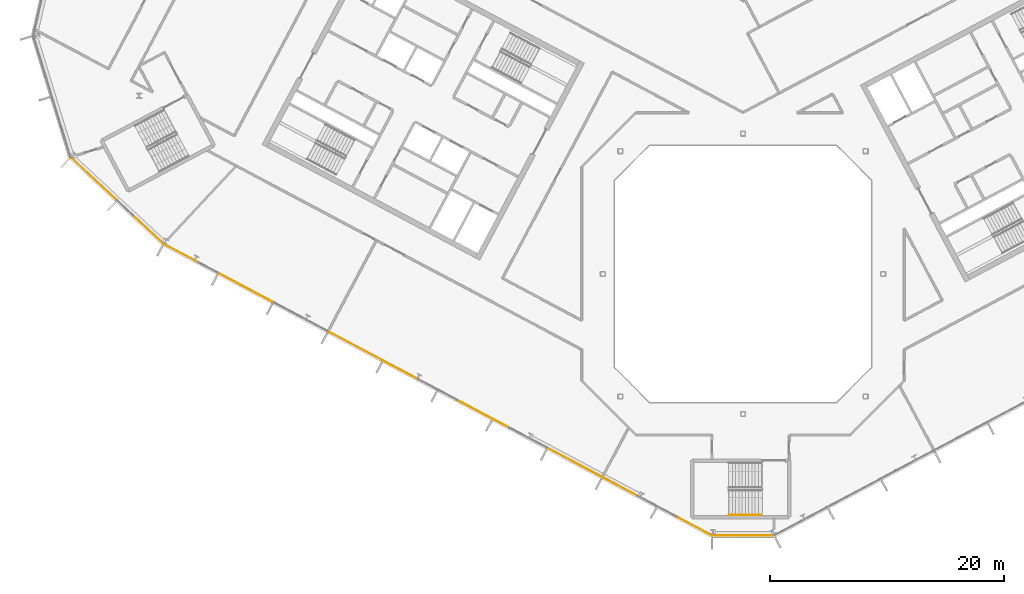
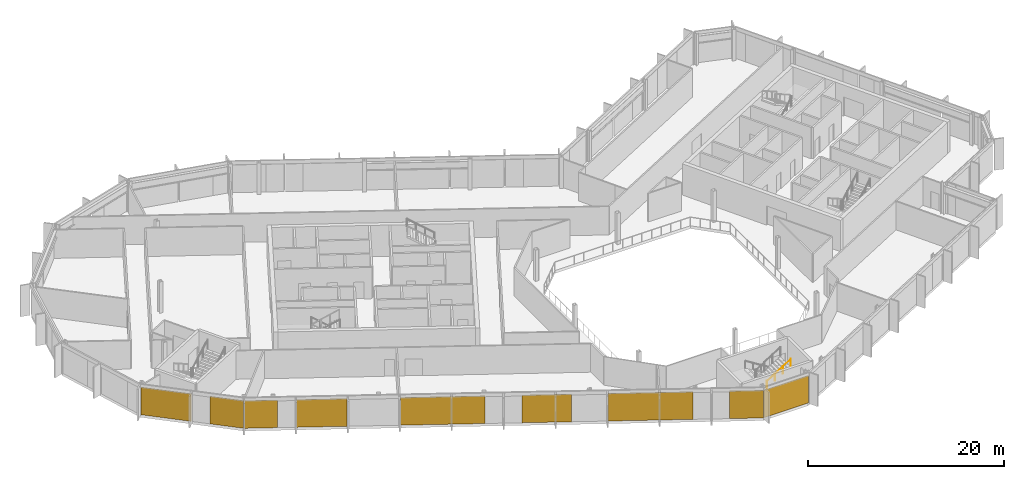
# One storey, part 18 of 25: 9 coverings, 1 railing, 3 elements without a shape of their own.
"""IFC4 building model written with IfcOpenShell, lengths in metres."""

from ifc_helpers import new_model, si_unit, direction, frame, origin, origin_2d, place, context, subcontext, project, spatial, polyline, rectangle, outline, extrude, material, layer, layer_set, type_object, element, aggregate, save


model = new_model("IFC4")

# Units and contexts
model_context = context("Model", 3, precision=1e-05, world=origin(), true_north=direction((0.0, 1.0)))
body_context = subcontext(model_context, "Body", "Model", "MODEL_VIEW")
ifc_project = project(units=[si_unit("LENGTHUNIT", "METRE"), si_unit("AREAUNIT", "SQUARE_METRE"), si_unit("VOLUMEUNIT", "CUBIC_METRE"), si_unit("PLANEANGLEUNIT", "RADIAN"), si_unit("MASSUNIT", "GRAM", prefix="KILO")], contexts=[model_context])

# Site, building, storey
site_placement = place(None, origin())
site = spatial("IfcSite", under=ifc_project, at=site_placement, CompositionType="ELEMENT")
building_placement = place(site_placement, origin())
building = spatial("IfcBuilding", under=site, at=building_placement, Name="Cormorant Relay Tower", CompositionType="ELEMENT")
storey_placement = place(building_placement, frame((0.0, 0.0, 281.39990234375)))
storey = spatial("IfcBuildingStorey", under=building, at=storey_placement, Name="L63", CompositionType="ELEMENT", Elevation=281.39990234375)

# Curtain wall, covering
ifc_material_1 = material(Name="Aluminium 6063-T6 anodised bronze", Category="aluminium")
ifc_layer_1 = layer(ifc_material_1, 0.199951171875)
ifc_layer_set_1 = layer_set([ifc_layer_1], Name="CW1 unitised bronze curtain wall with vertical fins")
curtain_wall_type = type_object("IfcCurtainWallType", Name="CW1 unitised bronze curtain wall with vertical fins", PredefinedType="NOTDEFINED", material=ifc_layer_set_1)
curtain_wall_1_placement = place(storey_placement, origin())
curtain_wall_1 = element("IfcCurtainWall", 1, at=curtain_wall_1_placement, inside=storey, type_object=curtain_wall_type, Name="CW1 curtain wall 1", PredefinedType="NOTDEFINED")
ifc_material_2 = material(Name="Pale bronze anodised aluminium insulated panel", Category="aluminium")
ifc_layer_2 = layer(ifc_material_2, 0.0400390625)
ifc_layer_set_2 = layer_set([ifc_layer_2], Name="CW1 pale bronze insulated panel 40")
covering_type = type_object("IfcCoveringType", Name="CW1 pale bronze insulated panel 40", PredefinedType="CLADDING", material=ifc_layer_set_2)
covering_1_placement = place(storey_placement, frame((0.03759765625, -22.3955078125, 0.0), z_axis=(0.0, 0.0, 1.0), x_axis=(1.0, 0.0, 0.0)))
covering_1 = element("IfcCovering", 2, at=covering_1_placement, type_object=covering_type, Name="CW1 panel S00", PredefinedType="CLADDING", context=body_context, shape_type="SweptSolid", body=[
    extrude(rectangle(XDim=5.22265625, YDim=0.0400390625, at=origin_2d()), origin(), (0.0, 0.0, 1.0), 3.449951171875),
])
aggregate(curtain_wall_1, [covering_1])

# Curtain wall, coverings
curtain_wall_2_placement = place(storey_placement, origin())
curtain_wall_2 = element("IfcCurtainWall", 3, at=curtain_wall_2_placement, inside=storey, type_object=curtain_wall_type, Name="CW1 curtain wall 15", PredefinedType="NOTDEFINED")
covering_2_placement = place(storey_placement, frame((-55.56787109375, 8.1298828125, 0.0), z_axis=(0.0, 0.0, 1.0), x_axis=(0.731353701619, -0.681998360062, 0.0)))
covering_2 = element("IfcCovering", 4, at=covering_2_placement, type_object=covering_type, Name="CW1 panel S00", PredefinedType="CLADDING", context=body_context, shape_type="SweptSolid", body=[
    extrude(rectangle(XDim=5.28515625, YDim=0.0400390625, at=origin_2d()), origin(), (0.0, 0.0, 1.0), 3.449951171875),
])
covering_3_placement = place(storey_placement, frame((-50.906982421875, 3.78369140625, 0.0), z_axis=(0.0, 0.0, 1.0), x_axis=(0.731353701619, -0.681998360062, 0.0)))
covering_3 = element("IfcCovering", 5, at=covering_3_placement, type_object=covering_type, Name="CW1 panel S02", PredefinedType="CLADDING", context=body_context, shape_type="SweptSolid", body=[
    extrude(rectangle(XDim=3.560302734375, YDim=0.0400390625, at=origin_2d()), origin(), (0.0, 0.0, 1.0), 3.449951171875),
])
aggregate(curtain_wall_2, [covering_2, covering_3])

curtain_wall_3_placement = place(storey_placement, origin())
curtain_wall_3 = element("IfcCurtainWall", 6, at=curtain_wall_3_placement, inside=storey, type_object=curtain_wall_type, Name="CW1 curtain wall 16", PredefinedType="NOTDEFINED")
covering_4_placement = place(storey_placement, frame((-48.048583984375, 1.7412109375, 0.0), z_axis=(0.0, 0.0, 1.0), x_axis=(0.882947592859, -0.469471562786, 0.0)))
covering_4 = element("IfcCovering", 7, at=covering_4_placement, type_object=covering_type, Name="CW1 panel S00", PredefinedType="CLADDING", context=body_context, shape_type="SweptSolid", body=[
    extrude(rectangle(XDim=3.36669921875, YDim=0.0400390625, at=origin_2d()), origin(), (0.0, 0.0, 1.0), 3.449951171875),
])
covering_5_placement = place(storey_placement, frame((-42.5595703125, -1.17724609375, 0.0), z_axis=(0.0, 0.0, 1.0), x_axis=(0.882947592859, -0.469471562786, 0.0)))
covering_5 = element("IfcCovering", 8, at=covering_5_placement, type_object=covering_type, Name="CW1 panel S02", PredefinedType="CLADDING", context=body_context, shape_type="SweptSolid", body=[
    extrude(rectangle(XDim=5.16650390625, YDim=0.0400390625, at=origin_2d()), origin(), (0.0, 0.0, 1.0), 3.449951171875),
])
covering_6_placement = place(storey_placement, frame((-31.618408203125, -6.994873046875, 0.0), z_axis=(0.0, 0.0, 1.0), x_axis=(0.882947592859, -0.469471562786, 0.0)))
covering_6 = element("IfcCovering", 9, at=covering_6_placement, type_object=covering_type, Name="CW1 panel S04", PredefinedType="CLADDING", context=body_context, shape_type="SweptSolid", body=[
    extrude(rectangle(XDim=8.68310546875, YDim=0.0400390625, at=origin_2d()), origin(), (0.0, 0.0, 1.0), 3.449951171875),
])
covering_7_placement = place(storey_placement, frame((-22.22998046875, -11.98681640625, 0.0), z_axis=(0.0, 0.0, 1.0), x_axis=(0.882947592859, -0.469471562786, 0.0)))
covering_7 = element("IfcCovering", 10, at=covering_7_placement, type_object=covering_type, Name="CW1 panel S07", PredefinedType="CLADDING", context=body_context, shape_type="SweptSolid", body=[
    extrude(rectangle(XDim=5.083251953125, YDim=0.0400390625, at=origin_2d()), origin(), (0.0, 0.0, 1.0), 3.449951171875),
])
covering_8_placement = place(storey_placement, frame((-12.84130859375, -16.978759765625, 0.0), z_axis=(0.0, 0.0, 1.0), x_axis=(0.882947592859, -0.469471562786, 0.0)))
covering_8 = element("IfcCovering", 11, at=covering_8_placement, type_object=covering_type, Name="CW1 panel S09", PredefinedType="CLADDING", context=body_context, shape_type="SweptSolid", body=[
    extrude(rectangle(XDim=8.68310546875, YDim=0.0400390625, at=origin_2d()), origin(), (0.0, 0.0, 1.0), 3.449951171875),
])
covering_9_placement = place(storey_placement, frame((-4.177490234375, -21.58544921875, 0.0), z_axis=(0.0, 0.0, 1.0), x_axis=(0.882947592859, -0.469471562786, 0.0)))
covering_9 = element("IfcCovering", 12, at=covering_9_placement, type_object=covering_type, Name="CW1 panel S12", PredefinedType="CLADDING", context=body_context, shape_type="SweptSolid", body=[
    extrude(rectangle(XDim=3.441650390625, YDim=0.0400390625, at=origin_2d()), origin(), (0.0, 0.0, 1.0), 3.449951171875),
])
aggregate(curtain_wall_3, [covering_4, covering_5, covering_6, covering_7, covering_8, covering_9])

# Railing
ifc_material_3 = material(Name="Steel ASTM A572 Grade 50 (Fy 345 MPa)", Category="steel")
railing_type = type_object("IfcRailingType", Name="Stair handrail 900", PredefinedType="HANDRAIL", material=ifc_material_3)
railing_placement = place(storey_placement, frame((-1.199951171875, -20.625, 2.12744140625)))
element("IfcRailing", 13, at=railing_placement, inside=storey, type_object=railing_type, Name="L63 RK1 stair handrail 2", PredefinedType="HANDRAIL", context=body_context, shape_type="SweptSolid", body=[
    extrude(outline(polyline([(0.022216796875, 0.00927734375), (0.00927734375, 0.022216796875), (-0.00927734375, 0.022216796875), (-0.022216796875, 0.00927734375), (-0.022216796875, -0.00927734375), (-0.00927734375, -0.022216796875), (0.00927734375, -0.022216796875), (0.022216796875, -0.00927734375), (0.022216796875, 0.00927734375)])), frame((0.0, 0.0, 0.8759765625), z_axis=(0.844908973607, 0.0, 0.534910110503), x_axis=(0.0, 1.0, 0.0)), (0.0, 0.0, 1.0), 3.31396484375),
    extrude(outline(polyline([(0.019287109375, 0.008056640625), (0.008056640625, 0.019287109375), (-0.008056640625, 0.019287109375), (-0.019287109375, 0.008056640625), (-0.019287109375, -0.008056640625), (-0.008056640625, -0.019287109375), (0.008056640625, -0.019287109375), (0.019287109375, -0.008056640625), (0.019287109375, 0.008056640625)])), origin(), (0.0, 0.0, 1.0), 0.851806640625),
    extrude(outline(polyline([(0.019287109375, 0.008056640625), (0.008056640625, 0.019287109375), (-0.008056640625, 0.019287109375), (-0.019287109375, 0.008056640625), (-0.019287109375, -0.008056640625), (-0.008056640625, -0.019287109375), (0.008056640625, -0.019287109375), (0.019287109375, -0.008056640625), (0.019287109375, 0.008056640625)])), frame((0.933349609375, 0.0, 0.5908203125)), (0.0, 0.0, 1.0), 0.851806640625),
    extrude(outline(polyline([(0.019287109375, 0.008056640625), (0.008056640625, 0.019287109375), (-0.008056640625, 0.019287109375), (-0.019287109375, 0.008056640625), (-0.019287109375, -0.008056640625), (-0.008056640625, -0.019287109375), (0.008056640625, -0.019287109375), (0.019287109375, -0.008056640625), (0.019287109375, 0.008056640625)])), frame((1.86669921875, 0.0, 1.181884765625)), (0.0, 0.0, 1.0), 0.851806640625),
    extrude(outline(polyline([(0.019287109375, 0.008056640625), (0.008056640625, 0.019287109375), (-0.008056640625, 0.019287109375), (-0.019287109375, 0.008056640625), (-0.019287109375, -0.008056640625), (-0.008056640625, -0.019287109375), (0.008056640625, -0.019287109375), (0.019287109375, -0.008056640625), (0.019287109375, 0.008056640625)])), frame((2.800048828125, 0.0, 1.772705078125)), (0.0, 0.0, 1.0), 0.851806640625),
])

save(model, "model.ifc")
